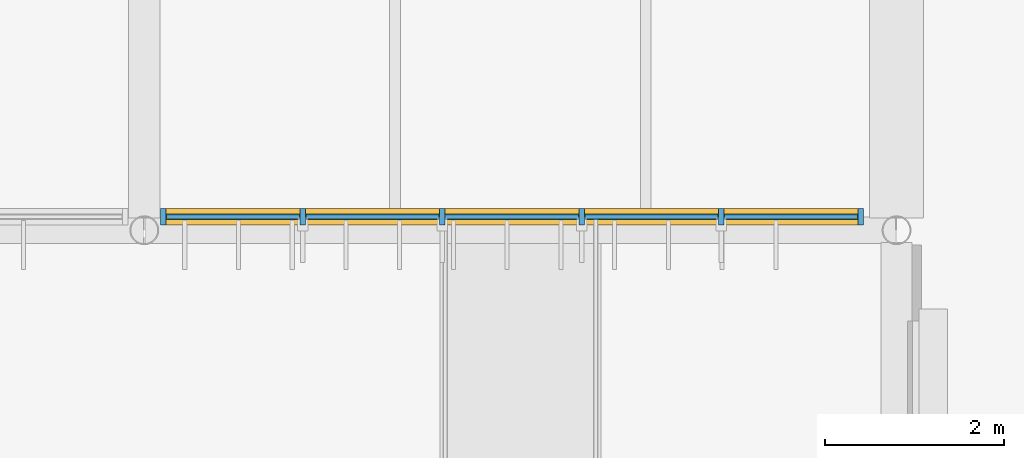
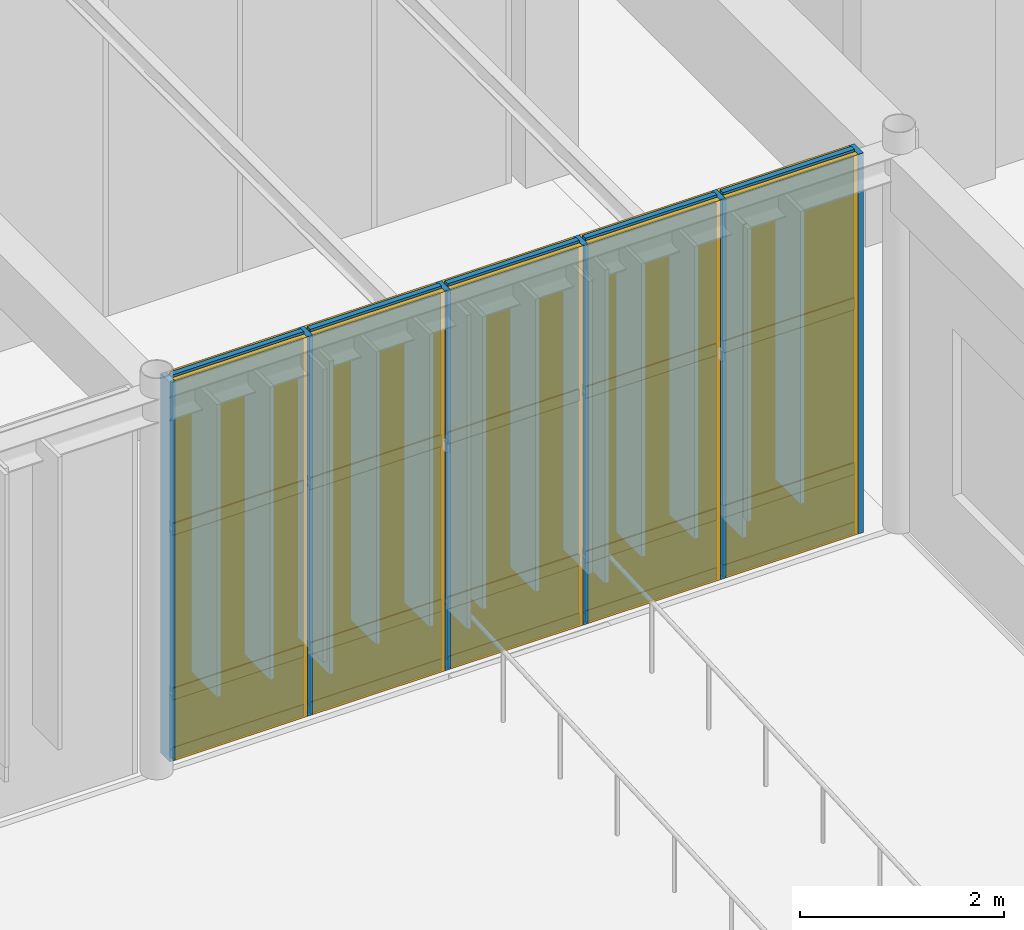
# One storey, part 89 of 122: 26 members, 15 plates, 1 curtain wall.
"""IFC4 building model written with IfcOpenShell, lengths in metres."""

from ifc_helpers import new_model, si_unit, direction, frame, frame_2d, origin, origin_2d, place, context, subcontext, project, spatial, rectangle, extrude, material, layer, layer_set, material_profile, profile_set, type_object, element, aggregate, save


model = new_model("IFC4")

# Units and contexts
model_context = context("Model", 3, precision=1e-05, world=origin(), true_north=direction((0.0, 1.0)))
body_context = subcontext(model_context, "Body", "Model", "MODEL_VIEW")
ifc_project = project(units=[si_unit("LENGTHUNIT", "METRE"), si_unit("AREAUNIT", "SQUARE_METRE"), si_unit("VOLUMEUNIT", "CUBIC_METRE"), si_unit("PLANEANGLEUNIT", "RADIAN"), si_unit("MASSUNIT", "GRAM", prefix="KILO")], contexts=[model_context])

# Member
ifc_material_1 = material(Name="Anodised Bronze Aluminium 6063-T6", Category="aluminium")
ifc_material_profile_1 = material_profile(ifc_material_1, rectangle(XDim=0.06005859375, YDim=0.179931640625, at=origin_2d()), Name="ALU MULLION 60x180")
ifc_profile_set_1 = profile_set([ifc_material_profile_1], Name="Anodised Bronze Aluminium 6063-T6")
member_type_1 = type_object("IfcMemberType", Name="Curtain-Wall Primary Mullion 60x180", PredefinedType="MULLION", material=ifc_profile_set_1)
site_placement = place(None, origin())
building_placement = place(site_placement, origin())
storey_placement = place(building_placement, origin())
member_1_placement = place(storey_placement, frame((117.2119140625, 44.75, 0.0), z_axis=(0.0, 0.0, 1.0), x_axis=(1.0, 0.0, 0.0)))
member_1 = element("IfcMember", 1, at=member_1_placement, type_object=member_type_1, Name="Mullion CWM-01 CW-ELNK-S-L00-B4-M01", PredefinedType="MULLION", context=body_context, shape_type="SweptSolid", body=[
    extrude(rectangle(XDim=0.06005859375, YDim=0.179931640625, at=origin_2d()), origin(), (0.0, 0.0, 1.0), 4.5400390625),
])

member_2_placement = place(storey_placement, frame((118.76953125, 44.75, 0.0), z_axis=(0.0, 0.0, 1.0), x_axis=(1.0, 0.0, 0.0)))
member_2 = element("IfcMember", 2, at=member_2_placement, type_object=member_type_1, Name="Mullion CWM-01 CW-ELNK-S-L00-B4-M02", PredefinedType="MULLION", context=body_context, shape_type="SweptSolid", body=[
    extrude(rectangle(XDim=0.06005859375, YDim=0.179931640625, at=origin_2d()), origin(), (0.0, 0.0, 1.0), 4.5400390625),
])

member_3_placement = place(storey_placement, frame((120.3271484375, 44.75, 0.0), z_axis=(0.0, 0.0, 1.0), x_axis=(1.0, 0.0, 0.0)))
member_3 = element("IfcMember", 3, at=member_3_placement, type_object=member_type_1, Name="Mullion CWM-01 CW-ELNK-S-L00-B4-M03", PredefinedType="MULLION", context=body_context, shape_type="SweptSolid", body=[
    extrude(rectangle(XDim=0.06005859375, YDim=0.179931640625, at=origin_2d()), origin(), (0.0, 0.0, 1.0), 4.5400390625),
])

member_4_placement = place(storey_placement, frame((121.884765625, 44.75, 0.0), z_axis=(0.0, 0.0, 1.0), x_axis=(1.0, 0.0, 0.0)))
member_4 = element("IfcMember", 4, at=member_4_placement, type_object=member_type_1, Name="Mullion CWM-01 CW-ELNK-S-L00-B4-M04", PredefinedType="MULLION", context=body_context, shape_type="SweptSolid", body=[
    extrude(rectangle(XDim=0.06005859375, YDim=0.179931640625, at=origin_2d()), origin(), (0.0, 0.0, 1.0), 4.5400390625),
])

member_5_placement = place(storey_placement, frame((123.4423828125, 44.75, 0.0), z_axis=(0.0, 0.0, 1.0), x_axis=(1.0, 0.0, 0.0)))
member_5 = element("IfcMember", 5, at=member_5_placement, type_object=member_type_1, Name="Mullion CWM-01 CW-ELNK-S-L00-B4-M05", PredefinedType="MULLION", context=body_context, shape_type="SweptSolid", body=[
    extrude(rectangle(XDim=0.06005859375, YDim=0.179931640625, at=origin_2d()), origin(), (0.0, 0.0, 1.0), 4.5400390625),
])

member_6_placement = place(storey_placement, frame((125.0, 44.75, 0.0), z_axis=(0.0, 0.0, 1.0), x_axis=(1.0, 0.0, 0.0)))
member_6 = element("IfcMember", 6, at=member_6_placement, type_object=member_type_1, Name="Mullion CWM-01 CW-ELNK-S-L00-B4-M06", PredefinedType="MULLION", context=body_context, shape_type="SweptSolid", body=[
    extrude(rectangle(XDim=0.06005859375, YDim=0.179931640625, at=origin_2d()), origin(), (0.0, 0.0, 1.0), 4.5400390625),
])

ifc_material_profile_2 = material_profile(ifc_material_1, rectangle(XDim=0.06005859375, YDim=0.139892578125, at=origin_2d()), Name="ALU TRANSOM 60x140")
ifc_profile_set_2 = profile_set([ifc_material_profile_2], Name="Anodised Bronze Aluminium 6063-T6")
member_type_2 = type_object("IfcMemberType", Name="Curtain-Wall Transom 60x140", PredefinedType="USERDEFINED", material=ifc_profile_set_2)
member_7_placement = place(storey_placement, frame((117.2470703125, 44.75, 0.0400390625), z_axis=(1.0, 0.0, 0.0), x_axis=(0.0, 1.0, 0.0)))
member_7 = element("IfcMember", 7, at=member_7_placement, type_object=member_type_2, Name="Transom CWT-01 CW-ELNK-S-L00-B4-T01.1", ObjectType="TRANSOM", PredefinedType="USERDEFINED", context=body_context, shape_type="SweptSolid", body=[
    extrude(rectangle(XDim=0.06005859375, YDim=0.139892578125, at=origin_2d()), origin(), (0.0, 0.0, 1.0), 1.487548828125),
])

member_8_placement = place(storey_placement, frame((117.2470703125, 44.75, 0.75), z_axis=(1.0, 0.0, 0.0), x_axis=(0.0, 1.0, 0.0)))
member_8 = element("IfcMember", 8, at=member_8_placement, type_object=member_type_2, Name="Transom CWT-01 CW-ELNK-S-L00-B4-T01.2", ObjectType="TRANSOM", PredefinedType="USERDEFINED", context=body_context, shape_type="SweptSolid", body=[
    extrude(rectangle(XDim=0.06005859375, YDim=0.139892578125, at=origin_2d()), origin(), (0.0, 0.0, 1.0), 1.487548828125),
])

member_9_placement = place(storey_placement, frame((117.2470703125, 44.75, 2.720703125), z_axis=(1.0, 0.0, 0.0), x_axis=(0.0, 1.0, 0.0)))
member_9 = element("IfcMember", 9, at=member_9_placement, type_object=member_type_2, Name="Transom CWT-01 CW-ELNK-S-L00-B4-T01.3", ObjectType="TRANSOM", PredefinedType="USERDEFINED", context=body_context, shape_type="SweptSolid", body=[
    extrude(rectangle(XDim=0.06005859375, YDim=0.139892578125, at=origin_2d()), origin(), (0.0, 0.0, 1.0), 1.487548828125),
])

member_10_placement = place(storey_placement, frame((117.2470703125, 44.75, 4.5), z_axis=(1.0, 0.0, 0.0), x_axis=(0.0, 1.0, 0.0)))
member_10 = element("IfcMember", 10, at=member_10_placement, type_object=member_type_2, Name="Transom CWT-01 CW-ELNK-S-L00-B4-T01.4", ObjectType="TRANSOM", PredefinedType="USERDEFINED", context=body_context, shape_type="SweptSolid", body=[
    extrude(rectangle(XDim=0.06005859375, YDim=0.139892578125, at=origin_2d()), origin(), (0.0, 0.0, 1.0), 1.487548828125),
])

member_11_placement = place(storey_placement, frame((118.8046875, 44.75, 0.0400390625), z_axis=(1.0, 0.0, 0.0), x_axis=(0.0, 1.0, 0.0)))
member_11 = element("IfcMember", 11, at=member_11_placement, type_object=member_type_2, Name="Transom CWT-01 CW-ELNK-S-L00-B4-T02.1", ObjectType="TRANSOM", PredefinedType="USERDEFINED", context=body_context, shape_type="SweptSolid", body=[
    extrude(rectangle(XDim=0.06005859375, YDim=0.139892578125, at=origin_2d()), origin(), (0.0, 0.0, 1.0), 1.487548828125),
])

member_12_placement = place(storey_placement, frame((118.8046875, 44.75, 0.75), z_axis=(1.0, 0.0, 0.0), x_axis=(0.0, 1.0, 0.0)))
member_12 = element("IfcMember", 12, at=member_12_placement, type_object=member_type_2, Name="Transom CWT-01 CW-ELNK-S-L00-B4-T02.2", ObjectType="TRANSOM", PredefinedType="USERDEFINED", context=body_context, shape_type="SweptSolid", body=[
    extrude(rectangle(XDim=0.06005859375, YDim=0.139892578125, at=origin_2d()), origin(), (0.0, 0.0, 1.0), 1.487548828125),
])

member_13_placement = place(storey_placement, frame((118.8046875, 44.75, 2.720703125), z_axis=(1.0, 0.0, 0.0), x_axis=(0.0, 1.0, 0.0)))
member_13 = element("IfcMember", 13, at=member_13_placement, type_object=member_type_2, Name="Transom CWT-01 CW-ELNK-S-L00-B4-T02.3", ObjectType="TRANSOM", PredefinedType="USERDEFINED", context=body_context, shape_type="SweptSolid", body=[
    extrude(rectangle(XDim=0.06005859375, YDim=0.139892578125, at=origin_2d()), origin(), (0.0, 0.0, 1.0), 1.487548828125),
])

member_14_placement = place(storey_placement, frame((118.8046875, 44.75, 4.5), z_axis=(1.0, 0.0, 0.0), x_axis=(0.0, 1.0, 0.0)))
member_14 = element("IfcMember", 14, at=member_14_placement, type_object=member_type_2, Name="Transom CWT-01 CW-ELNK-S-L00-B4-T02.4", ObjectType="TRANSOM", PredefinedType="USERDEFINED", context=body_context, shape_type="SweptSolid", body=[
    extrude(rectangle(XDim=0.06005859375, YDim=0.139892578125, at=origin_2d()), origin(), (0.0, 0.0, 1.0), 1.487548828125),
])

member_15_placement = place(storey_placement, frame((120.3623046875, 44.75, 0.0400390625), z_axis=(1.0, 0.0, 0.0), x_axis=(0.0, 1.0, 0.0)))
member_15 = element("IfcMember", 15, at=member_15_placement, type_object=member_type_2, Name="Transom CWT-01 CW-ELNK-S-L00-B4-T03.1", ObjectType="TRANSOM", PredefinedType="USERDEFINED", context=body_context, shape_type="SweptSolid", body=[
    extrude(rectangle(XDim=0.06005859375, YDim=0.139892578125, at=origin_2d()), origin(), (0.0, 0.0, 1.0), 1.487548828125),
])

member_16_placement = place(storey_placement, frame((120.3623046875, 44.75, 0.75), z_axis=(1.0, 0.0, 0.0), x_axis=(0.0, 1.0, 0.0)))
member_16 = element("IfcMember", 16, at=member_16_placement, type_object=member_type_2, Name="Transom CWT-01 CW-ELNK-S-L00-B4-T03.2", ObjectType="TRANSOM", PredefinedType="USERDEFINED", context=body_context, shape_type="SweptSolid", body=[
    extrude(rectangle(XDim=0.06005859375, YDim=0.139892578125, at=origin_2d()), origin(), (0.0, 0.0, 1.0), 1.487548828125),
])

member_17_placement = place(storey_placement, frame((120.3623046875, 44.75, 2.720703125), z_axis=(1.0, 0.0, 0.0), x_axis=(0.0, 1.0, 0.0)))
member_17 = element("IfcMember", 17, at=member_17_placement, type_object=member_type_2, Name="Transom CWT-01 CW-ELNK-S-L00-B4-T03.3", ObjectType="TRANSOM", PredefinedType="USERDEFINED", context=body_context, shape_type="SweptSolid", body=[
    extrude(rectangle(XDim=0.06005859375, YDim=0.139892578125, at=origin_2d()), origin(), (0.0, 0.0, 1.0), 1.487548828125),
])

member_18_placement = place(storey_placement, frame((120.3623046875, 44.75, 4.5), z_axis=(1.0, 0.0, 0.0), x_axis=(0.0, 1.0, 0.0)))
member_18 = element("IfcMember", 18, at=member_18_placement, type_object=member_type_2, Name="Transom CWT-01 CW-ELNK-S-L00-B4-T03.4", ObjectType="TRANSOM", PredefinedType="USERDEFINED", context=body_context, shape_type="SweptSolid", body=[
    extrude(rectangle(XDim=0.06005859375, YDim=0.139892578125, at=origin_2d()), origin(), (0.0, 0.0, 1.0), 1.487548828125),
])

member_19_placement = place(storey_placement, frame((121.919921875, 44.75, 0.0400390625), z_axis=(1.0, 0.0, 0.0), x_axis=(0.0, 1.0, 0.0)))
member_19 = element("IfcMember", 19, at=member_19_placement, type_object=member_type_2, Name="Transom CWT-01 CW-ELNK-S-L00-B4-T04.1", ObjectType="TRANSOM", PredefinedType="USERDEFINED", context=body_context, shape_type="SweptSolid", body=[
    extrude(rectangle(XDim=0.06005859375, YDim=0.139892578125, at=origin_2d()), origin(), (0.0, 0.0, 1.0), 1.487548828125),
])

member_20_placement = place(storey_placement, frame((121.919921875, 44.75, 0.75), z_axis=(1.0, 0.0, 0.0), x_axis=(0.0, 1.0, 0.0)))
member_20 = element("IfcMember", 20, at=member_20_placement, type_object=member_type_2, Name="Transom CWT-01 CW-ELNK-S-L00-B4-T04.2", ObjectType="TRANSOM", PredefinedType="USERDEFINED", context=body_context, shape_type="SweptSolid", body=[
    extrude(rectangle(XDim=0.06005859375, YDim=0.139892578125, at=origin_2d()), origin(), (0.0, 0.0, 1.0), 1.487548828125),
])

member_21_placement = place(storey_placement, frame((121.919921875, 44.75, 2.720703125), z_axis=(1.0, 0.0, 0.0), x_axis=(0.0, 1.0, 0.0)))
member_21 = element("IfcMember", 21, at=member_21_placement, type_object=member_type_2, Name="Transom CWT-01 CW-ELNK-S-L00-B4-T04.3", ObjectType="TRANSOM", PredefinedType="USERDEFINED", context=body_context, shape_type="SweptSolid", body=[
    extrude(rectangle(XDim=0.06005859375, YDim=0.139892578125, at=origin_2d()), origin(), (0.0, 0.0, 1.0), 1.487548828125),
])

member_22_placement = place(storey_placement, frame((121.919921875, 44.75, 4.5), z_axis=(1.0, 0.0, 0.0), x_axis=(0.0, 1.0, 0.0)))
member_22 = element("IfcMember", 22, at=member_22_placement, type_object=member_type_2, Name="Transom CWT-01 CW-ELNK-S-L00-B4-T04.4", ObjectType="TRANSOM", PredefinedType="USERDEFINED", context=body_context, shape_type="SweptSolid", body=[
    extrude(rectangle(XDim=0.06005859375, YDim=0.139892578125, at=origin_2d()), origin(), (0.0, 0.0, 1.0), 1.487548828125),
])

member_23_placement = place(storey_placement, frame((123.477294921875, 44.75, 0.0400390625), z_axis=(1.0, 0.0, 0.0), x_axis=(0.0, 1.0, 0.0)))
member_23 = element("IfcMember", 23, at=member_23_placement, type_object=member_type_2, Name="Transom CWT-01 CW-ELNK-S-L00-B4-T05.1", ObjectType="TRANSOM", PredefinedType="USERDEFINED", context=body_context, shape_type="SweptSolid", body=[
    extrude(rectangle(XDim=0.06005859375, YDim=0.139892578125, at=origin_2d()), origin(), (0.0, 0.0, 1.0), 1.48779296875),
])

member_24_placement = place(storey_placement, frame((123.477294921875, 44.75, 0.75), z_axis=(1.0, 0.0, 0.0), x_axis=(0.0, 1.0, 0.0)))
member_24 = element("IfcMember", 24, at=member_24_placement, type_object=member_type_2, Name="Transom CWT-01 CW-ELNK-S-L00-B4-T05.2", ObjectType="TRANSOM", PredefinedType="USERDEFINED", context=body_context, shape_type="SweptSolid", body=[
    extrude(rectangle(XDim=0.06005859375, YDim=0.139892578125, at=origin_2d()), origin(), (0.0, 0.0, 1.0), 1.48779296875),
])

member_25_placement = place(storey_placement, frame((123.477294921875, 44.75, 2.720703125), z_axis=(1.0, 0.0, 0.0), x_axis=(0.0, 1.0, 0.0)))
member_25 = element("IfcMember", 25, at=member_25_placement, type_object=member_type_2, Name="Transom CWT-01 CW-ELNK-S-L00-B4-T05.3", ObjectType="TRANSOM", PredefinedType="USERDEFINED", context=body_context, shape_type="SweptSolid", body=[
    extrude(rectangle(XDim=0.06005859375, YDim=0.139892578125, at=origin_2d()), origin(), (0.0, 0.0, 1.0), 1.48779296875),
])

member_26_placement = place(storey_placement, frame((123.477294921875, 44.75, 4.5), z_axis=(1.0, 0.0, 0.0), x_axis=(0.0, 1.0, 0.0)))
member_26 = element("IfcMember", 26, at=member_26_placement, type_object=member_type_2, Name="Transom CWT-01 CW-ELNK-S-L00-B4-T05.4", ObjectType="TRANSOM", PredefinedType="USERDEFINED", context=body_context, shape_type="SweptSolid", body=[
    extrude(rectangle(XDim=0.06005859375, YDim=0.139892578125, at=origin_2d()), origin(), (0.0, 0.0, 1.0), 1.48779296875),
])

# Plate
ifc_material_2 = material(Name="Insulated Bronze Aluminium Spandrel Panel", Category="aluminium")
ifc_layer_1 = layer(ifc_material_2, 0.050048828125, Name="Insulated Bronze Aluminium Spandrel Panel")
ifc_layer_set_1 = layer_set([ifc_layer_1], Name="Insulated Bronze Aluminium Spandrel Panel")
plate_type_1 = type_object("IfcPlateType", Name="Insulated Anodised Aluminium Spandrel Cassette 50", PredefinedType="CURTAIN_PANEL", material=ifc_layer_set_1)
plate_1_placement = place(storey_placement, frame((117.99072265625, 44.75, 0.070068359375), z_axis=(0.0, 0.0, 1.0), x_axis=(1.0, 0.0, 0.0)))
plate_1 = element("IfcPlate", 27, at=plate_1_placement, type_object=plate_type_1, Name="Curtain Panel CWP-03 CW-ELNK-S-L00-B4-P01.1", PredefinedType="CURTAIN_PANEL", context=body_context, shape_type="SweptSolid", body=[
    extrude(rectangle(XDim=1.487548828125, YDim=0.050048828125, at=origin_2d()), origin(), (0.0, 0.0, 1.0), 0.64990234375),
])

plate_2_placement = place(storey_placement, frame((119.54833984375, 44.75, 0.070068359375), z_axis=(0.0, 0.0, 1.0), x_axis=(1.0, 0.0, 0.0)))
plate_2 = element("IfcPlate", 28, at=plate_2_placement, type_object=plate_type_1, Name="Curtain Panel CWP-03 CW-ELNK-S-L00-B4-P02.1", PredefinedType="CURTAIN_PANEL", context=body_context, shape_type="SweptSolid", body=[
    extrude(rectangle(XDim=1.487548828125, YDim=0.050048828125, at=origin_2d()), origin(), (0.0, 0.0, 1.0), 0.64990234375),
])

plate_3_placement = place(storey_placement, frame((121.10595703125, 44.75, 0.070068359375), z_axis=(0.0, 0.0, 1.0), x_axis=(1.0, 0.0, 0.0)))
plate_3 = element("IfcPlate", 29, at=plate_3_placement, type_object=plate_type_1, Name="Curtain Panel CWP-03 CW-ELNK-S-L00-B4-P03.1", PredefinedType="CURTAIN_PANEL", context=body_context, shape_type="SweptSolid", body=[
    extrude(rectangle(XDim=1.487548828125, YDim=0.050048828125, at=origin_2d()), origin(), (0.0, 0.0, 1.0), 0.64990234375),
])

plate_4_placement = place(storey_placement, frame((122.66357421875, 44.75, 0.070068359375), z_axis=(0.0, 0.0, 1.0), x_axis=(1.0, 0.0, 0.0)))
plate_4 = element("IfcPlate", 30, at=plate_4_placement, type_object=plate_type_1, Name="Curtain Panel CWP-03 CW-ELNK-S-L00-B4-P04.1", PredefinedType="CURTAIN_PANEL", context=body_context, shape_type="SweptSolid", body=[
    extrude(rectangle(XDim=1.487548828125, YDim=0.050048828125, at=origin_2d()), origin(), (0.0, 0.0, 1.0), 0.64990234375),
])

plate_5_placement = place(storey_placement, frame((124.22119140625, 44.75, 0.070068359375), z_axis=(0.0, 0.0, 1.0), x_axis=(1.0, 0.0, 0.0)))
plate_5 = element("IfcPlate", 31, at=plate_5_placement, type_object=plate_type_1, Name="Curtain Panel CWP-03 CW-ELNK-S-L00-B4-P05.1", PredefinedType="CURTAIN_PANEL", context=body_context, shape_type="SweptSolid", body=[
    extrude(rectangle(XDim=1.487548828125, YDim=0.050048828125, at=origin_2d()), origin(), (0.0, 0.0, 1.0), 0.64990234375),
])

ifc_material_3 = material(Name="Solar-Control Tempered Double Glazing", Category="glass")
ifc_layer_2 = layer(ifc_material_3, 0.0380859375, Name="Solar-Control Tempered Double Glazing")
ifc_layer_set_2 = layer_set([ifc_layer_2], Name="Solar-Control Tempered Double Glazing")
plate_type_2 = type_object("IfcPlateType", Name="Solar-Control Vision Glazing Unit 38", PredefinedType="CURTAIN_PANEL", material=ifc_layer_set_2)
plate_6_placement = place(storey_placement, frame((117.99072265625, 44.75, 0.77978515625), z_axis=(0.0, 0.0, 1.0), x_axis=(1.0, 0.0, 0.0)))
plate_6 = element("IfcPlate", 32, at=plate_6_placement, type_object=plate_type_2, Name="Curtain Panel CWP-02 CW-ELNK-S-L00-B4-P01.2", PredefinedType="CURTAIN_PANEL", context=body_context, shape_type="SweptSolid", body=[
    extrude(rectangle(XDim=1.487548828125, YDim=0.0380859375, at=origin_2d()), origin(), (0.0, 0.0, 1.0), 1.910888671875),
])

plate_7_placement = place(storey_placement, frame((117.99072265625, 44.75, 2.750732421875), z_axis=(0.0, 0.0, 1.0), x_axis=(1.0, 0.0, 0.0)))
plate_7 = element("IfcPlate", 33, at=plate_7_placement, type_object=plate_type_2, Name="Curtain Panel CWP-02 CW-ELNK-S-L00-B4-P01.3", PredefinedType="CURTAIN_PANEL", context=body_context, shape_type="SweptSolid", body=[
    extrude(rectangle(XDim=1.487548828125, YDim=0.0380859375, at=origin_2d()), origin(), (0.0, 0.0, 1.0), 1.71923828125),
])

plate_8_placement = place(storey_placement, frame((119.54833984375, 44.75, 0.77978515625), z_axis=(0.0, 0.0, 1.0), x_axis=(1.0, 0.0, 0.0)))
plate_8 = element("IfcPlate", 34, at=plate_8_placement, type_object=plate_type_2, Name="Curtain Panel CWP-02 CW-ELNK-S-L00-B4-P02.2", PredefinedType="CURTAIN_PANEL", context=body_context, shape_type="SweptSolid", body=[
    extrude(rectangle(XDim=1.487548828125, YDim=0.0380859375, at=origin_2d()), origin(), (0.0, 0.0, 1.0), 1.910888671875),
])

plate_9_placement = place(storey_placement, frame((119.54833984375, 44.75, 2.750732421875), z_axis=(0.0, 0.0, 1.0), x_axis=(1.0, 0.0, 0.0)))
plate_9 = element("IfcPlate", 35, at=plate_9_placement, type_object=plate_type_2, Name="Curtain Panel CWP-02 CW-ELNK-S-L00-B4-P02.3", PredefinedType="CURTAIN_PANEL", context=body_context, shape_type="SweptSolid", body=[
    extrude(rectangle(XDim=1.487548828125, YDim=0.0380859375, at=origin_2d()), origin(), (0.0, 0.0, 1.0), 1.71923828125),
])

plate_10_placement = place(storey_placement, frame((121.10595703125, 44.75, 0.77978515625), z_axis=(0.0, 0.0, 1.0), x_axis=(1.0, 0.0, 0.0)))
plate_10 = element("IfcPlate", 36, at=plate_10_placement, type_object=plate_type_2, Name="Curtain Panel CWP-02 CW-ELNK-S-L00-B4-P03.2", PredefinedType="CURTAIN_PANEL", context=body_context, shape_type="SweptSolid", body=[
    extrude(rectangle(XDim=1.487548828125, YDim=0.0380859375, at=origin_2d()), origin(), (0.0, 0.0, 1.0), 1.910888671875),
])

plate_11_placement = place(storey_placement, frame((121.10595703125, 44.75, 2.750732421875), z_axis=(0.0, 0.0, 1.0), x_axis=(1.0, 0.0, 0.0)))
plate_11 = element("IfcPlate", 37, at=plate_11_placement, type_object=plate_type_2, Name="Curtain Panel CWP-02 CW-ELNK-S-L00-B4-P03.3", PredefinedType="CURTAIN_PANEL", context=body_context, shape_type="SweptSolid", body=[
    extrude(rectangle(XDim=1.487548828125, YDim=0.0380859375, at=origin_2d()), origin(), (0.0, 0.0, 1.0), 1.71923828125),
])

plate_12_placement = place(storey_placement, frame((122.66357421875, 44.75, 0.77978515625), z_axis=(0.0, 0.0, 1.0), x_axis=(1.0, 0.0, 0.0)))
plate_12 = element("IfcPlate", 38, at=plate_12_placement, type_object=plate_type_2, Name="Curtain Panel CWP-02 CW-ELNK-S-L00-B4-P04.2", PredefinedType="CURTAIN_PANEL", context=body_context, shape_type="SweptSolid", body=[
    extrude(rectangle(XDim=1.487548828125, YDim=0.0380859375, at=origin_2d()), origin(), (0.0, 0.0, 1.0), 1.910888671875),
])

plate_13_placement = place(storey_placement, frame((122.66357421875, 44.75, 2.750732421875), z_axis=(0.0, 0.0, 1.0), x_axis=(1.0, 0.0, 0.0)))
plate_13 = element("IfcPlate", 39, at=plate_13_placement, type_object=plate_type_2, Name="Curtain Panel CWP-02 CW-ELNK-S-L00-B4-P04.3", PredefinedType="CURTAIN_PANEL", context=body_context, shape_type="SweptSolid", body=[
    extrude(rectangle(XDim=1.487548828125, YDim=0.0380859375, at=origin_2d()), origin(), (0.0, 0.0, 1.0), 1.71923828125),
])

plate_14_placement = place(storey_placement, frame((124.22119140625, 44.75, 0.77978515625), z_axis=(0.0, 0.0, 1.0), x_axis=(1.0, 0.0, 0.0)))
plate_14 = element("IfcPlate", 40, at=plate_14_placement, type_object=plate_type_2, Name="Curtain Panel CWP-02 CW-ELNK-S-L00-B4-P05.2", PredefinedType="CURTAIN_PANEL", context=body_context, shape_type="SweptSolid", body=[
    extrude(rectangle(XDim=1.487548828125, YDim=0.0380859375, at=origin_2d()), origin(), (0.0, 0.0, 1.0), 1.910888671875),
])

plate_15_placement = place(storey_placement, frame((124.22119140625, 44.75, 2.750732421875), z_axis=(0.0, 0.0, 1.0), x_axis=(1.0, 0.0, 0.0)))
plate_15 = element("IfcPlate", 41, at=plate_15_placement, type_object=plate_type_2, Name="Curtain Panel CWP-02 CW-ELNK-S-L00-B4-P05.3", PredefinedType="CURTAIN_PANEL", context=body_context, shape_type="SweptSolid", body=[
    extrude(rectangle(XDim=1.487548828125, YDim=0.0380859375, at=origin_2d()), origin(), (0.0, 0.0, 1.0), 1.71923828125),
])

# Site, building, storey
site = spatial("IfcSite", under=ifc_project, at=site_placement, CompositionType="ELEMENT")
building = spatial("IfcBuilding", under=site, at=building_placement, Name="Tazoul Stagehouse", CompositionType="ELEMENT")
storey = spatial("IfcBuildingStorey", under=building, at=storey_placement, Name="L00", CompositionType="ELEMENT", Elevation=0.0)

# Curtain wall
curtain_wall_type = type_object("IfcCurtainWallType", Name="Foyer Clear Solar-Control Curtain Wall", PredefinedType="NOTDEFINED", material=ifc_material_1)
curtain_wall_placement = place(storey_placement, frame((117.2119140625, 44.75, 0.0), z_axis=(0.0, 0.0, 1.0), x_axis=(1.0, 0.0, 0.0)))
curtain_wall = element("IfcCurtainWall", 42, at=curtain_wall_placement, inside=storey, type_object=curtain_wall_type, Name="L00 Curtain Wall CW-02 (CW-ELNK-S-L00-B4)", PredefinedType="NOTDEFINED", context=body_context, shape_type="SweptSolid", body=[
    extrude(rectangle(XDim=7.7880859375, YDim=0.179931640625, at=frame_2d((3.89404296875, 0.0))), origin(), (0.0, 0.0, 1.0), 4.5400390625),
])

aggregate(curtain_wall, [member_1, member_2, member_3, member_4, member_5, member_6, member_7, member_8, member_9, member_10, plate_1, plate_6, plate_7, member_11, member_12, member_13, member_14, plate_2, plate_8, plate_9, member_15, member_16, member_17, member_18, plate_3, plate_10, plate_11, member_19, member_20, member_21, member_22, plate_4, plate_12, plate_13, member_23, member_24, member_25, member_26, plate_5, plate_14, plate_15])

save(model, "model.ifc")
